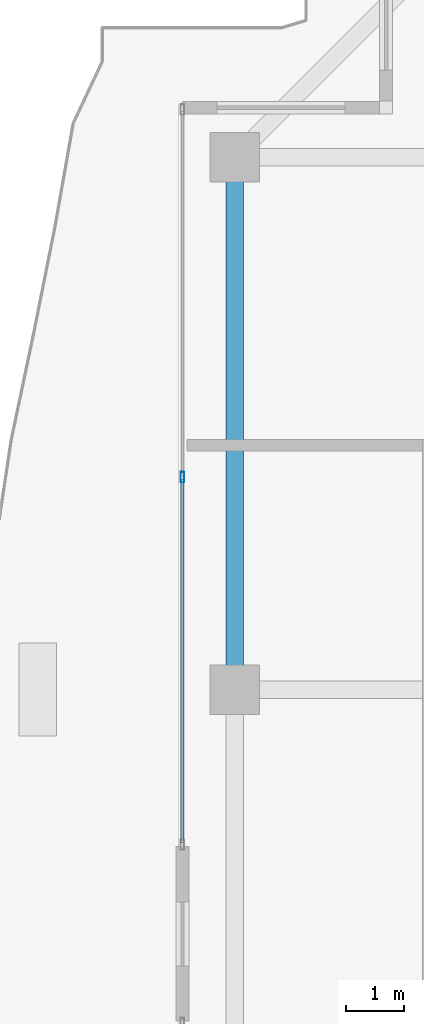
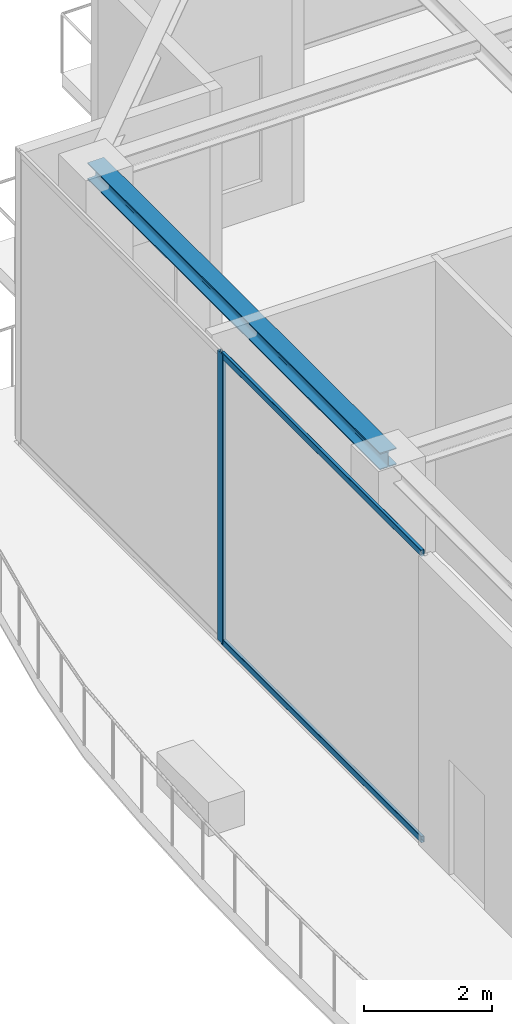
# One storey, part 9 of 38: 3 members, 1 beam, 1 element without a shape of its own.
"""IFC4 building model written with IfcOpenShell, lengths in metres."""

from ifc_helpers import new_model, si_unit, direction, frame, origin, origin_2d, place, context, subcontext, project, spatial, hollow_rectangle, i_section, extrude, source, transform, mapped, material, layer, layer_set, material_profile, profile_set, type_object, element, aggregate, save


model = new_model("IFC4")

# Units and contexts
model_context = context("Model", 3, precision=1e-05, world=origin(), true_north=direction((0.0, 1.0)))
body_context = subcontext(model_context, "Body", "Model", "MODEL_VIEW")
ifc_project = project(units=[si_unit("LENGTHUNIT", "METRE"), si_unit("AREAUNIT", "SQUARE_METRE"), si_unit("VOLUMEUNIT", "CUBIC_METRE"), si_unit("PLANEANGLEUNIT", "RADIAN"), si_unit("MASSUNIT", "GRAM", prefix="KILO")], contexts=[model_context])

# Site, building, storey
site_placement = place(None, origin())
site = spatial("IfcSite", under=ifc_project, at=site_placement, CompositionType="ELEMENT")
building_placement = place(site_placement, origin())
building = spatial("IfcBuilding", under=site, at=building_placement, Name="Serunith Strait Residences", CompositionType="ELEMENT")
storey_placement = place(building_placement, frame((0.0, 0.0, 353.85009765625)))
storey = spatial("IfcBuildingStorey", under=building, at=storey_placement, Name="L87", CompositionType="ELEMENT", Elevation=353.85009765625)

# Beam
ifc_material_1 = material(Name="Steel S355J2", Category="steel")
ifc_material_profile_1 = material_profile(ifc_material_1, i_section(OverallWidth=0.300048828125, OverallDepth=0.320068359375, WebThickness=0.011474609375, FlangeThickness=0.0205078125, FilletRadius=0.027099609375, at=origin_2d()), Name="HEB 320")
ifc_profile_set_1 = profile_set([ifc_material_profile_1], Name="Steel S355J2")
beam_type = type_object("IfcBeamType", Name="BM-HEB320", PredefinedType="BEAM", material=ifc_profile_set_1)
shared_shape_1 = source(origin(), body_context, "Body", "SweptSolid", [
    extrude(i_section(OverallWidth=0.300048828125, OverallDepth=0.320068359375, WebThickness=0.011474609375, FlangeThickness=0.0205078125, FilletRadius=0.027099609375, at=origin_2d()), origin(), (0.0, 0.0, 1.0), 9.150146484375),
])
beam_placement = place(storey_placement, frame((11.699951171875, 38.550048828125, 5.376953125), z_axis=(0.0, -1.0, 0.0), x_axis=(1.0, 0.0, 0.0)))
element("IfcBeam", 1, at=beam_placement, inside=storey, type_object=beam_type, Name="L87 Perimeter Ring Beam 13", PredefinedType="BEAM", context=body_context, shape_type="MappedRepresentation", body=[
    mapped(shared_shape_1, transform((0.0, 0.0, 0.0), scale=1.0)),
])

# Curtain wall, members
ifc_material_2 = material(Name="Brushed Stainless-Silver Aluminium", Category="aluminium")
ifc_layer = layer(ifc_material_2, 0.199951171875, Name="Brushed Stainless-Silver Aluminium")
ifc_layer_set = layer_set([ifc_layer], Name="Brushed Stainless-Silver Aluminium")
curtain_wall_type = type_object("IfcCurtainWallType", Name="CW-SYS5", PredefinedType="NOTDEFINED", material=ifc_layer_set)
curtain_wall_placement = place(storey_placement, origin())
curtain_wall = element("IfcCurtainWall", 2, at=curtain_wall_placement, inside=storey, type_object=curtain_wall_type, Name="L87 W Unitised Fritted Curtain Wall", PredefinedType="NOTDEFINED")
ifc_material_profile_2 = material_profile(ifc_material_2, hollow_rectangle(XDim=0.06005859375, YDim=0.1201171875, WallThickness=0.00341796875, InnerFilletRadius=0.00537109375, OuterFilletRadius=0.0087890625, at=origin_2d()), Name="ALU 120x60x3.5")
ifc_profile_set_2 = profile_set([ifc_material_profile_2], Name="Brushed Stainless-Silver Aluminium")
member_type_1 = type_object("IfcMemberType", Name="CW-SYS5-TRAN", PredefinedType="USERDEFINED", material=ifc_profile_set_2)
shared_shape_2 = source(origin(), body_context, "Body", "SweptSolid", [
    extrude(hollow_rectangle(XDim=0.06005859375, YDim=0.1201171875, WallThickness=0.00341796875, InnerFilletRadius=0.00537109375, OuterFilletRadius=0.0087890625, at=origin_2d()), origin(), (0.0, 0.0, 1.0), 6.252685546875),
])
member_1_placement = place(storey_placement, frame((10.800048828125, 33.017578125, 0.02978515625), z_axis=(0.0, -1.0, 0.0), x_axis=(1.0, 0.0, 0.0)))
member_1 = element("IfcMember", 3, at=member_1_placement, type_object=member_type_1, Name="CW-5 transom 2.1", ObjectType="TRANSOM", PredefinedType="USERDEFINED", context=body_context, shape_type="MappedRepresentation", body=[
    mapped(shared_shape_2, transform((0.0, 0.0, 0.0), scale=1.0)),
])
member_2_placement = place(storey_placement, frame((10.800048828125, 33.017578125, 5.494873046875), z_axis=(0.0, -1.0, 0.0), x_axis=(1.0, 0.0, 0.0)))
member_2 = element("IfcMember", 4, at=member_2_placement, type_object=member_type_1, Name="CW-5 transom 2.2", ObjectType="TRANSOM", PredefinedType="USERDEFINED", context=body_context, shape_type="MappedRepresentation", body=[
    mapped(shared_shape_2, transform((0.0, 0.0, 0.0), scale=1.0)),
])
ifc_material_profile_3 = material_profile(ifc_material_2, hollow_rectangle(XDim=0.06494140625, YDim=0.179931640625, WallThickness=0.00341796875, InnerFilletRadius=0.00537109375, OuterFilletRadius=0.0087890625, at=origin_2d()), Name="ALU 180x65x3.5")
ifc_profile_set_3 = profile_set([ifc_material_profile_3], Name="Brushed Stainless-Silver Aluminium")
member_type_2 = type_object("IfcMemberType", Name="CW-SYS5-MULL", PredefinedType="MULLION", material=ifc_profile_set_3)
shared_shape_3 = source(origin(), body_context, "Body", "SweptSolid", [
    extrude(hollow_rectangle(XDim=0.06494140625, YDim=0.179931640625, WallThickness=0.00341796875, InnerFilletRadius=0.00537109375, OuterFilletRadius=0.0087890625, at=origin_2d()), origin(), (0.0, 0.0, 1.0), 5.52490234375),
])
member_3_placement = place(storey_placement, frame((10.800048828125, 33.050048828125, 0.0), z_axis=(0.0, 0.0, 1.0), x_axis=(1.0, 0.0, 0.0)))
member_3 = element("IfcMember", 5, at=member_3_placement, type_object=member_type_2, Name="CW-5 mullion 2", PredefinedType="MULLION", context=body_context, shape_type="MappedRepresentation", body=[
    mapped(shared_shape_3, transform((0.0, 0.0, 0.0), scale=1.0)),
])
aggregate(curtain_wall, [member_3, member_1, member_2])

save(model, "model.ifc")
